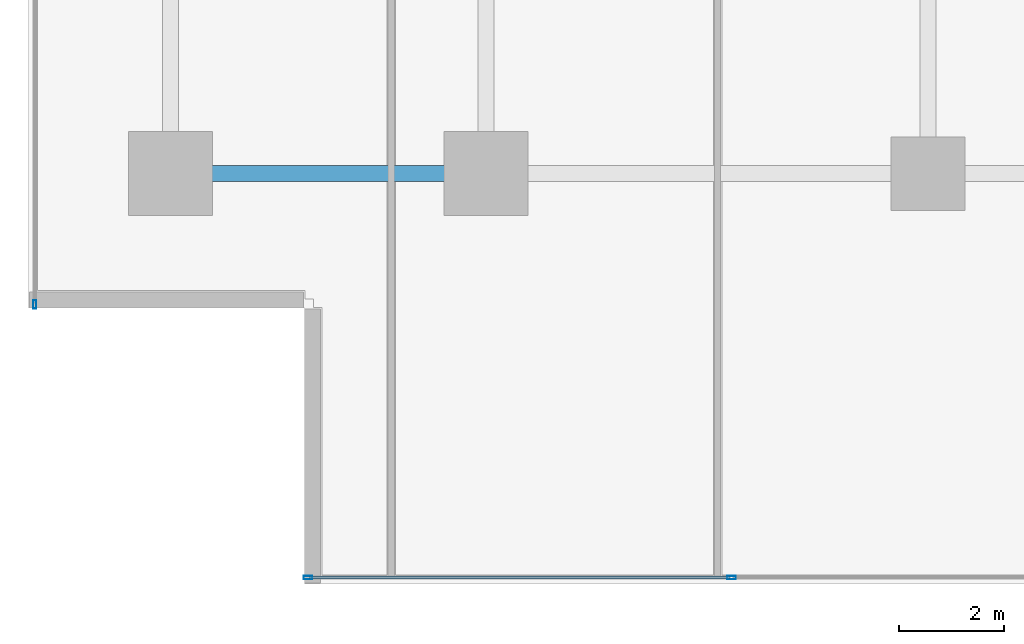
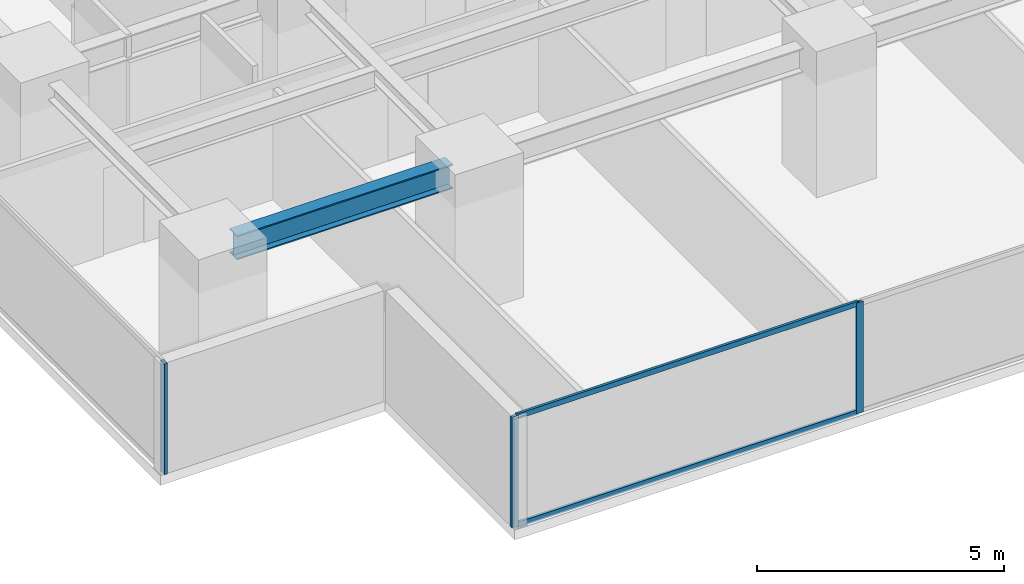
# One storey, part 2 of 37: 5 members, 1 beam, 2 elements without a shape of their own.
"""IFC4 building model written with IfcOpenShell, lengths in metres."""

from ifc_helpers import new_model, si_unit, direction, frame, origin, origin_2d, place, context, subcontext, project, spatial, hollow_rectangle, i_section, extrude, source, transform, mapped, material, layer, layer_set, material_profile, profile_set, type_object, element, aggregate, save


model = new_model("IFC4")

# Units and contexts
model_context = context("Model", 3, precision=1e-05, world=origin(), true_north=direction((0.0, 1.0)))
body_context = subcontext(model_context, "Body", "Model", "MODEL_VIEW")
ifc_project = project(units=[si_unit("LENGTHUNIT", "METRE"), si_unit("AREAUNIT", "SQUARE_METRE"), si_unit("VOLUMEUNIT", "CUBIC_METRE"), si_unit("PLANEANGLEUNIT", "RADIAN"), si_unit("MASSUNIT", "GRAM", prefix="KILO")], contexts=[model_context])

# Site, building, storey
site_placement = place(None, origin())
site = spatial("IfcSite", under=ifc_project, at=site_placement, CompositionType="ELEMENT")
building_placement = place(site_placement, origin())
building = spatial("IfcBuilding", under=site, at=building_placement, Name="Sumidabori Civic Tower", CompositionType="ELEMENT")
storey_placement = place(building_placement, frame((0.0, 0.0, 88.39990234375)))
storey = spatial("IfcBuildingStorey", under=building, at=storey_placement, Name="L22", CompositionType="ELEMENT", Elevation=88.39990234375)

# Beam
ifc_material_1 = material(Name="Steel SN490", Category="steel")
ifc_material_profile_1 = material_profile(ifc_material_1, i_section(OverallWidth=0.300048828125, OverallDepth=0.60009765625, WebThickness=0.015380859375, FlangeThickness=0.030029296875, at=origin_2d()), Name="HE 600 B")
ifc_profile_set_1 = profile_set([ifc_material_profile_1], Name="Steel SN490")
beam_type = type_object("IfcBeamType", Name="BM-GIRD-600", PredefinedType="BEAM", material=ifc_profile_set_1)
shared_shape_1 = source(origin(), body_context, "Body", "SweptSolid", [
    extrude(i_section(OverallWidth=0.300048828125, OverallDepth=0.60009765625, WebThickness=0.015380859375, FlangeThickness=0.030029296875, at=origin_2d()), origin(), (0.0, 0.0, 1.0), 5.0400390625),
])
beam_placement = place(storey_placement, frame((-22.320068359375, -18.0, 3.06005859375), z_axis=(1.0, 0.0, 0.0), x_axis=(0.0, 1.0, 0.0)))
element("IfcBeam", 1, at=beam_placement, inside=storey, type_object=beam_type, Name="Primary Girder L22 GX-01", PredefinedType="BEAM", context=body_context, shape_type="MappedRepresentation", body=[
    mapped(shared_shape_1, transform((0.0, 0.0, 0.0), x_axis=(1.0, 0.0, 0.0), y_axis=(0.0, 1.0, 0.0), z_axis=(0.0, 0.0, 1.0), scale=1.0)),
])

# Curtain wall, members
ifc_material_2 = material(Name="Anodised Bronze Aluminium AW-6063-T6", Category="aluminium")
ifc_layer = layer(ifc_material_2, 0.179931640625, Name="Anodised Bronze Aluminium AW-6063-T6")
ifc_layer_set = layer_set([ifc_layer], Name="Anodised Bronze Aluminium AW-6063-T6")
curtain_wall_type = type_object("IfcCurtainWallType", Name="CW-SYS-3", PredefinedType="NOTDEFINED", material=ifc_layer_set)
curtain_wall_1_placement = place(storey_placement, origin())
curtain_wall_1 = element("IfcCurtainWall", 2, at=curtain_wall_1_placement, inside=storey, type_object=curtain_wall_type, Name="Curtain Wall CW:L22:R01", PredefinedType="NOTDEFINED")
ifc_material_profile_2 = material_profile(ifc_material_2, hollow_rectangle(XDim=0.06494140625, YDim=0.159912109375, WallThickness=0.0048828125, at=origin_2d()), Name="ALU MULLION 160x65")
ifc_profile_set_2 = profile_set([ifc_material_profile_2], Name="Anodised Bronze Aluminium AW-6063-T6")
member_type_1 = type_object("IfcMemberType", Name="CW-MUL-160", PredefinedType="MULLION", material=ifc_profile_set_2)
shared_shape_2 = source(origin(), body_context, "Body", "SweptSolid", [
    extrude(hollow_rectangle(XDim=0.06494140625, YDim=0.159912109375, WallThickness=0.0048828125, at=origin_2d()), origin(), (0.0, 0.0, 1.0), 2.739990234375),
])
member_1_placement = place(storey_placement, frame((-20.1875, -25.679931640625, 0.0), z_axis=(0.0, 0.0, 1.0), x_axis=(0.0, 1.0, 0.0)))
member_1 = element("IfcMember", 3, at=member_1_placement, type_object=member_type_1, Name="CW-3 mullion 1", PredefinedType="MULLION", context=body_context, shape_type="MappedRepresentation", body=[
    mapped(shared_shape_2, transform((0.0, 0.0, 0.0), x_axis=(1.0, 0.0, 0.0), y_axis=(0.0, 1.0, 0.0), z_axis=(0.0, 0.0, 1.0), scale=1.0)),
])
member_2_placement = place(storey_placement, frame((-12.132080078125, -25.679931640625, 0.0), z_axis=(0.0, 0.0, 1.0), x_axis=(0.0, 1.0, 0.0)))
member_2 = element("IfcMember", 4, at=member_2_placement, type_object=member_type_1, Name="CW-3 mullion 2", PredefinedType="MULLION", context=body_context, shape_type="MappedRepresentation", body=[
    mapped(shared_shape_2, transform((0.0, 0.0, 0.0), x_axis=(1.0, 0.0, 0.0), y_axis=(0.0, 1.0, 0.0), z_axis=(0.0, 0.0, 1.0), scale=1.0)),
])

# Curtain wall, member
curtain_wall_2_placement = place(storey_placement, origin())
curtain_wall_2 = element("IfcCurtainWall", 5, at=curtain_wall_2_placement, inside=storey, type_object=curtain_wall_type, Name="Curtain Wall CW:L22:R10", PredefinedType="NOTDEFINED")
member_3_placement = place(storey_placement, frame((-25.3798828125, -20.487548828125, 0.0), z_axis=(0.0, 0.0, 1.0), x_axis=(1.0, 0.0, 0.0)))
member_3 = element("IfcMember", 6, at=member_3_placement, type_object=member_type_1, Name="CW-3 mullion 6", PredefinedType="MULLION", context=body_context, shape_type="MappedRepresentation", body=[
    mapped(shared_shape_2, transform((0.0, 0.0, 0.0), x_axis=(1.0, 0.0, 0.0), y_axis=(0.0, 1.0, 0.0), z_axis=(0.0, 0.0, 1.0), scale=1.0)),
])
aggregate(curtain_wall_2, [member_3])

# Member
ifc_material_profile_3 = material_profile(ifc_material_2, hollow_rectangle(XDim=0.06005859375, YDim=0.1298828125, WallThickness=0.0048828125, at=origin_2d()), Name="ALU TRANSOM 130x60")
ifc_profile_set_3 = profile_set([ifc_material_profile_3], Name="Anodised Bronze Aluminium AW-6063-T6")
member_type_2 = type_object("IfcMemberType", Name="CW-TRN-130", PredefinedType="USERDEFINED", material=ifc_profile_set_3)
shared_shape_3 = source(origin(), body_context, "Body", "SweptSolid", [
    extrude(hollow_rectangle(XDim=0.06005859375, YDim=0.1298828125, WallThickness=0.0048828125, at=origin_2d()), origin(), (0.0, 0.0, 1.0), 7.990478515625),
])
member_4_placement = place(storey_placement, frame((-20.155029296875, -25.679931640625, 0.030029296875), z_axis=(1.0, 0.0, 0.0), x_axis=(0.0, 1.0, 0.0)))
member_4 = element("IfcMember", 7, at=member_4_placement, type_object=member_type_2, Name="CW-3 transom 1.1", ObjectType="TRANSOM", PredefinedType="USERDEFINED", context=body_context, shape_type="MappedRepresentation", body=[
    mapped(shared_shape_3, transform((0.0, 0.0, 0.0), x_axis=(1.0, 0.0, 0.0), y_axis=(0.0, 1.0, 0.0), z_axis=(0.0, 0.0, 1.0), scale=1.0)),
])

member_5_placement = place(storey_placement, frame((-20.155029296875, -25.679931640625, 2.710205078125), z_axis=(1.0, 0.0, 0.0), x_axis=(0.0, 1.0, 0.0)))
member_5 = element("IfcMember", 8, at=member_5_placement, type_object=member_type_2, Name="CW-3 transom 1.2", ObjectType="TRANSOM", PredefinedType="USERDEFINED", context=body_context, shape_type="MappedRepresentation", body=[
    mapped(shared_shape_3, transform((0.0, 0.0, 0.0), x_axis=(1.0, 0.0, 0.0), y_axis=(0.0, 1.0, 0.0), z_axis=(0.0, 0.0, 1.0), scale=1.0)),
])

aggregate(curtain_wall_1, [member_1, member_2, member_4, member_5])

save(model, "model.ifc")
